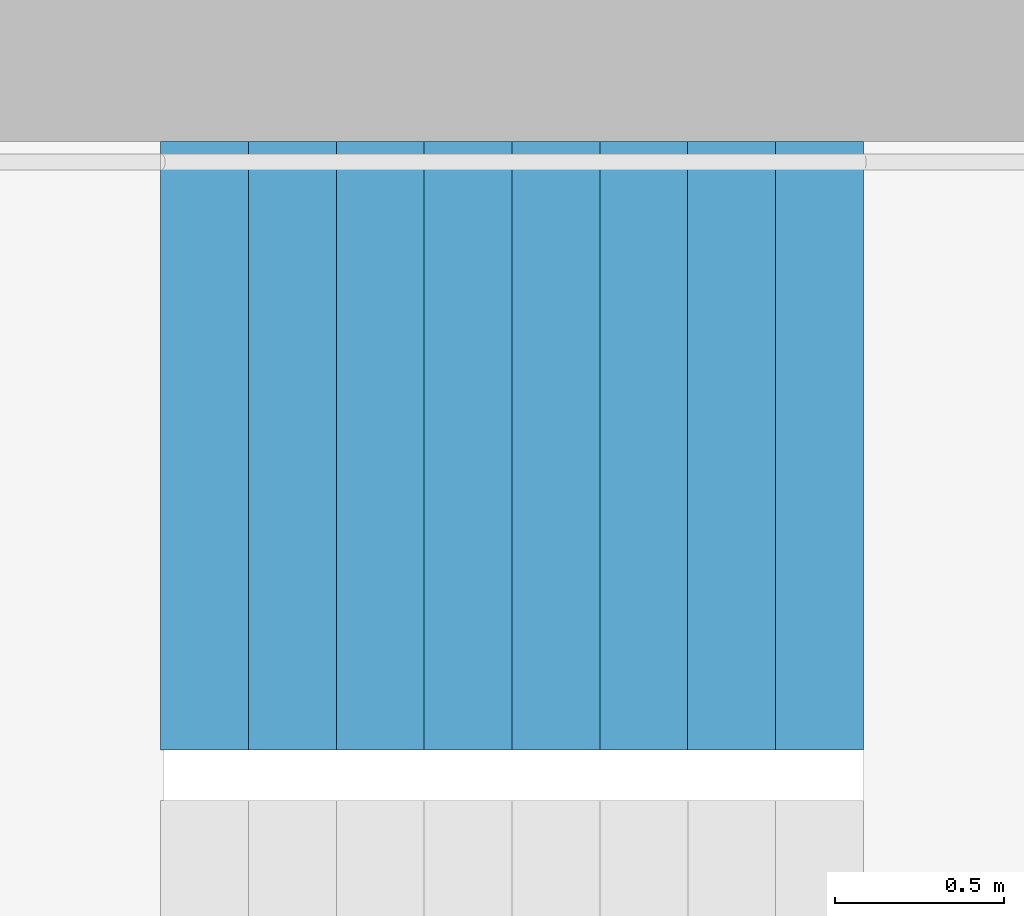
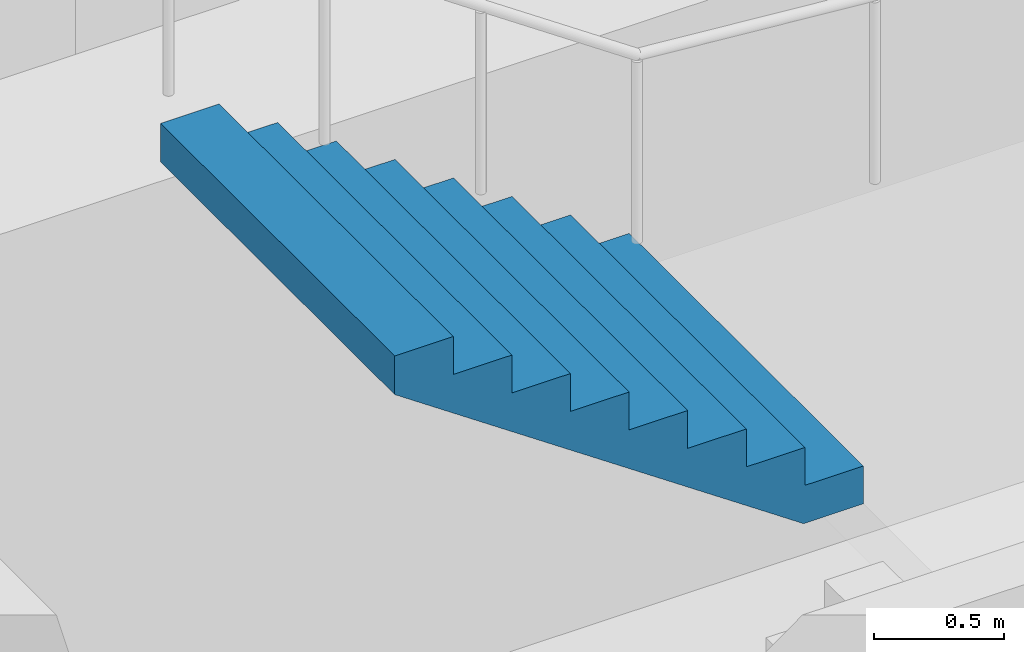
# One storey, part 21 of 26: 1 stair flight, 1 element without a shape of its own.
"""IFC4 building model written with IfcOpenShell, lengths in metres."""

from ifc_helpers import new_model, si_unit, direction, frame, origin, place, context, subcontext, project, spatial, triangles, material, type_object, element, aggregate, save


model = new_model("IFC4")

# Units and contexts
model_context = context("Model", 3, precision=1e-05, world=origin(), true_north=direction((0.0, 1.0)))
body_context = subcontext(model_context, "Body", "Model", "MODEL_VIEW")
ifc_project = project(units=[si_unit("LENGTHUNIT", "METRE"), si_unit("AREAUNIT", "SQUARE_METRE"), si_unit("VOLUMEUNIT", "CUBIC_METRE"), si_unit("PLANEANGLEUNIT", "RADIAN"), si_unit("MASSUNIT", "GRAM", prefix="KILO")], contexts=[model_context])

# Site, building, storey
site_placement = place(None, origin())
site = spatial("IfcSite", under=ifc_project, at=site_placement, CompositionType="ELEMENT")
building_placement = place(site_placement, origin())
building = spatial("IfcBuilding", under=site, at=building_placement, Name="Hakoniwa Tower and Hamabe Station Hall", CompositionType="ELEMENT")
storey_placement = place(building_placement, frame((0.0, 0.0, 156.60009765625)))
storey = spatial("IfcBuildingStorey", under=building, at=storey_placement, Name="L44", CompositionType="ELEMENT", Elevation=156.60009765625)

# Stair, stair flight
ifc_material_1 = material(Name="Concrete C40", Category="concrete")
stair_type = type_object("IfcStairType", Name="ESCAPE STAIR 1800", PredefinedType="HALF_TURN_STAIR", material=ifc_material_1)
stair_placement = place(storey_placement, origin())
stair = element("IfcStair", 1, at=stair_placement, inside=storey, type_object=stair_type, Name="Escape stair ST-1 L44", PredefinedType="HALF_TURN_STAIR")
ifc_material_2 = material(Name="Concrete C40", Category="concrete")
stair_flight_type = type_object("IfcStairFlightType", Name="STAIR FLIGHT 1800", PredefinedType="STRAIGHT", material=ifc_material_2)
stair_flight_placement = place(storey_placement, frame((-22.320068359375, 6.60009765625, 1.599853515625), z_axis=(0.0, 0.0, 1.0), x_axis=(-1.0, 0.0, 0.0)))
stair_flight = element("IfcStairFlight", 2, at=stair_flight_placement, type_object=stair_flight_type, Name="ST-1 flight 2", NumberOfRisers=9, NumberOfTreads=8, PredefinedType="STRAIGHT", RiserHeight=0.177777778, TreadLength=0.26, context=body_context, shape_type="Tessellation", body=[
    triangles([(0.0, 0.89990234375, 0.0), (0.260009765625, 0.89990234375, 0.0), (0.265625, 0.89990234375, 0.0), (0.52001953125, 0.89990234375, 0.174072265625), (0.780029296875, 0.89990234375, 0.351806640625), (1.0400390625, 0.89990234375, 0.529541015625), (1.300048828125, 0.89990234375, 0.707275390625), (1.56005859375, 0.89990234375, 0.885009765625), (1.820068359375, 0.89990234375, 1.062744140625), (2.080078125, 0.89990234375, 1.24072265625), (2.080078125, 0.89990234375, 1.422119140625), (1.820068359375, 0.89990234375, 1.422119140625), (1.820068359375, 0.89990234375, 1.244384765625), (1.56005859375, 0.89990234375, 1.244384765625), (1.56005859375, 0.89990234375, 1.066650390625), (1.300048828125, 0.89990234375, 1.066650390625), (1.300048828125, 0.89990234375, 0.888916015625), (1.0400390625, 0.89990234375, 0.888916015625), (1.0400390625, 0.89990234375, 0.711181640625), (0.780029296875, 0.89990234375, 0.711181640625), (0.780029296875, 0.89990234375, 0.533447265625), (0.52001953125, 0.89990234375, 0.533447265625), (0.52001953125, 0.89990234375, 0.35546875), (0.265625, 0.89990234375, 0.35546875), (0.260009765625, 0.89990234375, 0.35546875), (0.260009765625, 0.89990234375, 0.177734375), (0.0, 0.89990234375, 0.177734375), (0.0, 0.06005859375, 0.0), (0.260009765625, 0.06005859375, 0.0), (0.265625, 0.06005859375, 0.0), (0.52001953125, 0.06005859375, 0.174072265625), (0.780029296875, 0.06005859375, 0.351806640625), (1.0400390625, 0.06005859375, 0.529541015625), (1.300048828125, 0.06005859375, 0.707275390625), (1.56005859375, 0.06005859375, 0.885009765625), (1.820068359375, 0.06005859375, 1.062744140625), (2.080078125, 0.06005859375, 1.24072265625), (2.080078125, 0.06005859375, 1.422119140625), (1.820068359375, 0.06005859375, 1.422119140625), (1.820068359375, 0.06005859375, 1.244384765625), (1.56005859375, 0.06005859375, 1.244384765625), (1.56005859375, 0.06005859375, 1.066650390625), (1.300048828125, 0.06005859375, 1.066650390625), (1.300048828125, 0.06005859375, 0.888916015625), (1.0400390625, 0.06005859375, 0.888916015625), (1.0400390625, 0.06005859375, 0.711181640625), (0.780029296875, 0.06005859375, 0.711181640625), (0.780029296875, 0.06005859375, 0.533447265625), (0.52001953125, 0.06005859375, 0.533447265625), (0.52001953125, 0.06005859375, 0.35546875), (0.265625, 0.06005859375, 0.35546875), (0.260009765625, 0.06005859375, 0.35546875), (0.260009765625, 0.06005859375, 0.177734375), (0.0, 0.06005859375, 0.177734375), (0.0, 0.04296875, 0.0), (0.260009765625, 0.04296875, 0.0), (0.265625, 0.04296875, 0.0), (0.52001953125, 0.04296875, 0.174072265625), (0.780029296875, 0.04296875, 0.351806640625), (1.0400390625, 0.04296875, 0.529541015625), (1.300048828125, 0.04296875, 0.707275390625), (1.56005859375, 0.04296875, 0.885009765625), (1.820068359375, 0.04296875, 1.062744140625), (2.080078125, 0.04296875, 1.24072265625), (2.080078125, 0.04296875, 1.422119140625), (1.820068359375, 0.04296875, 1.422119140625), (1.820068359375, 0.04296875, 1.244384765625), (1.56005859375, 0.04296875, 1.244384765625), (1.56005859375, 0.04296875, 1.066650390625), (1.300048828125, 0.04296875, 1.066650390625), (1.300048828125, 0.04296875, 0.888916015625), (1.0400390625, 0.04296875, 0.888916015625), (1.0400390625, 0.04296875, 0.711181640625), (0.780029296875, 0.04296875, 0.711181640625), (0.780029296875, 0.04296875, 0.533447265625), (0.52001953125, 0.04296875, 0.533447265625), (0.52001953125, 0.04296875, 0.35546875), (0.265625, 0.04296875, 0.35546875), (0.260009765625, 0.04296875, 0.35546875), (0.260009765625, 0.04296875, 0.177734375), (0.0, 0.04296875, 0.177734375), (0.0, 0.025634765625, 0.0), (0.260009765625, 0.025634765625, 0.0), (0.265625, 0.025634765625, 0.0), (0.52001953125, 0.025634765625, 0.174072265625), (0.780029296875, 0.025634765625, 0.351806640625), (1.0400390625, 0.025634765625, 0.529541015625), (1.300048828125, 0.025634765625, 0.707275390625), (1.56005859375, 0.025634765625, 0.885009765625), (1.820068359375, 0.025634765625, 1.062744140625), (2.080078125, 0.025634765625, 1.24072265625), (2.080078125, 0.025634765625, 1.422119140625), (1.820068359375, 0.025634765625, 1.422119140625), (1.820068359375, 0.025634765625, 1.244384765625), (1.56005859375, 0.025634765625, 1.244384765625), (1.56005859375, 0.025634765625, 1.066650390625), (1.300048828125, 0.025634765625, 1.066650390625), (1.300048828125, 0.025634765625, 0.888916015625), (1.0400390625, 0.025634765625, 0.888916015625), (1.0400390625, 0.025634765625, 0.711181640625), (0.780029296875, 0.025634765625, 0.711181640625), (0.780029296875, 0.025634765625, 0.533447265625), (0.52001953125, 0.025634765625, 0.533447265625), (0.52001953125, 0.025634765625, 0.35546875), (0.265625, 0.025634765625, 0.35546875), (0.260009765625, 0.025634765625, 0.35546875), (0.260009765625, 0.025634765625, 0.177734375), (0.0, 0.025634765625, 0.177734375), (0.0, 0.008544921875, 0.0), (0.260009765625, 0.008544921875, 0.0), (0.265625, 0.008544921875, 0.0), (0.52001953125, 0.008544921875, 0.174072265625), (0.780029296875, 0.008544921875, 0.351806640625), (1.0400390625, 0.008544921875, 0.529541015625), (1.300048828125, 0.008544921875, 0.707275390625), (1.56005859375, 0.008544921875, 0.885009765625), (1.820068359375, 0.008544921875, 1.062744140625), (2.080078125, 0.008544921875, 1.24072265625), (2.080078125, 0.008544921875, 1.422119140625), (1.820068359375, 0.008544921875, 1.422119140625), (1.820068359375, 0.008544921875, 1.244384765625), (1.56005859375, 0.008544921875, 1.244384765625), (1.56005859375, 0.008544921875, 1.066650390625), (1.300048828125, 0.008544921875, 1.066650390625), (1.300048828125, 0.008544921875, 0.888916015625), (1.0400390625, 0.008544921875, 0.888916015625), (1.0400390625, 0.008544921875, 0.711181640625), (0.780029296875, 0.008544921875, 0.711181640625), (0.780029296875, 0.008544921875, 0.533447265625), (0.52001953125, 0.008544921875, 0.533447265625), (0.52001953125, 0.008544921875, 0.35546875), (0.265625, 0.008544921875, 0.35546875), (0.260009765625, 0.008544921875, 0.35546875), (0.260009765625, 0.008544921875, 0.177734375), (0.0, 0.008544921875, 0.177734375), (0.0, -0.008544921875, 0.0), (0.260009765625, -0.008544921875, 0.0), (0.265625, -0.008544921875, 0.0), (0.52001953125, -0.008544921875, 0.174072265625), (0.780029296875, -0.008544921875, 0.351806640625), (1.0400390625, -0.008544921875, 0.529541015625), (1.300048828125, -0.008544921875, 0.707275390625), (1.56005859375, -0.008544921875, 0.885009765625), (1.820068359375, -0.008544921875, 1.062744140625), (2.080078125, -0.008544921875, 1.24072265625), (2.080078125, -0.008544921875, 1.422119140625), (1.820068359375, -0.008544921875, 1.422119140625), (1.820068359375, -0.008544921875, 1.244384765625), (1.56005859375, -0.008544921875, 1.244384765625), (1.56005859375, -0.008544921875, 1.066650390625), (1.300048828125, -0.008544921875, 1.066650390625), (1.300048828125, -0.008544921875, 0.888916015625), (1.0400390625, -0.008544921875, 0.888916015625), (1.0400390625, -0.008544921875, 0.711181640625), (0.780029296875, -0.008544921875, 0.711181640625), (0.780029296875, -0.008544921875, 0.533447265625), (0.52001953125, -0.008544921875, 0.533447265625), (0.52001953125, -0.008544921875, 0.35546875), (0.265625, -0.008544921875, 0.35546875), (0.260009765625, -0.008544921875, 0.35546875), (0.260009765625, -0.008544921875, 0.177734375), (0.0, -0.008544921875, 0.177734375), (0.0, -0.025634765625, 0.0), (0.260009765625, -0.025634765625, 0.0), (0.265625, -0.025634765625, 0.0), (0.52001953125, -0.025634765625, 0.174072265625), (0.780029296875, -0.025634765625, 0.351806640625), (1.0400390625, -0.025634765625, 0.529541015625), (1.300048828125, -0.025634765625, 0.707275390625), (1.56005859375, -0.025634765625, 0.885009765625), (1.820068359375, -0.025634765625, 1.062744140625), (2.080078125, -0.025634765625, 1.24072265625), (2.080078125, -0.025634765625, 1.422119140625), (1.820068359375, -0.025634765625, 1.422119140625), (1.820068359375, -0.025634765625, 1.244384765625), (1.56005859375, -0.025634765625, 1.244384765625), (1.56005859375, -0.025634765625, 1.066650390625), (1.300048828125, -0.025634765625, 1.066650390625), (1.300048828125, -0.025634765625, 0.888916015625), (1.0400390625, -0.025634765625, 0.888916015625), (1.0400390625, -0.025634765625, 0.711181640625), (0.780029296875, -0.025634765625, 0.711181640625), (0.780029296875, -0.025634765625, 0.533447265625), (0.52001953125, -0.025634765625, 0.533447265625), (0.52001953125, -0.025634765625, 0.35546875), (0.265625, -0.025634765625, 0.35546875), (0.260009765625, -0.025634765625, 0.35546875), (0.260009765625, -0.025634765625, 0.177734375), (0.0, -0.025634765625, 0.177734375), (0.0, -0.04296875, 0.0), (0.260009765625, -0.04296875, 0.0), (0.265625, -0.04296875, 0.0), (0.52001953125, -0.04296875, 0.174072265625), (0.780029296875, -0.04296875, 0.351806640625), (1.0400390625, -0.04296875, 0.529541015625), (1.300048828125, -0.04296875, 0.707275390625), (1.56005859375, -0.04296875, 0.885009765625), (1.820068359375, -0.04296875, 1.062744140625), (2.080078125, -0.04296875, 1.24072265625), (2.080078125, -0.04296875, 1.422119140625), (1.820068359375, -0.04296875, 1.422119140625), (1.820068359375, -0.04296875, 1.244384765625), (1.56005859375, -0.04296875, 1.244384765625), (1.56005859375, -0.04296875, 1.066650390625), (1.300048828125, -0.04296875, 1.066650390625), (1.300048828125, -0.04296875, 0.888916015625), (1.0400390625, -0.04296875, 0.888916015625), (1.0400390625, -0.04296875, 0.711181640625), (0.780029296875, -0.04296875, 0.711181640625), (0.780029296875, -0.04296875, 0.533447265625), (0.52001953125, -0.04296875, 0.533447265625), (0.52001953125, -0.04296875, 0.35546875), (0.265625, -0.04296875, 0.35546875), (0.260009765625, -0.04296875, 0.35546875), (0.260009765625, -0.04296875, 0.177734375), (0.0, -0.04296875, 0.177734375), (0.0, -0.06005859375, 0.0), (0.260009765625, -0.06005859375, 0.0), (0.265625, -0.06005859375, 0.0), (0.52001953125, -0.06005859375, 0.174072265625), (0.780029296875, -0.06005859375, 0.351806640625), (1.0400390625, -0.06005859375, 0.529541015625), (1.300048828125, -0.06005859375, 0.707275390625), (1.56005859375, -0.06005859375, 0.885009765625), (1.820068359375, -0.06005859375, 1.062744140625), (2.080078125, -0.06005859375, 1.24072265625), (2.080078125, -0.06005859375, 1.422119140625), (1.820068359375, -0.06005859375, 1.422119140625), (1.820068359375, -0.06005859375, 1.244384765625), (1.56005859375, -0.06005859375, 1.244384765625), (1.56005859375, -0.06005859375, 1.066650390625), (1.300048828125, -0.06005859375, 1.066650390625), (1.300048828125, -0.06005859375, 0.888916015625), (1.0400390625, -0.06005859375, 0.888916015625), (1.0400390625, -0.06005859375, 0.711181640625), (0.780029296875, -0.06005859375, 0.711181640625), (0.780029296875, -0.06005859375, 0.533447265625), (0.52001953125, -0.06005859375, 0.533447265625), (0.52001953125, -0.06005859375, 0.35546875), (0.265625, -0.06005859375, 0.35546875), (0.260009765625, -0.06005859375, 0.35546875), (0.260009765625, -0.06005859375, 0.177734375), (0.0, -0.06005859375, 0.177734375), (0.0, -0.89990234375, 0.0), (0.260009765625, -0.89990234375, 0.0), (0.265625, -0.89990234375, 0.0), (0.52001953125, -0.89990234375, 0.174072265625), (0.780029296875, -0.89990234375, 0.351806640625), (1.0400390625, -0.89990234375, 0.529541015625), (1.300048828125, -0.89990234375, 0.707275390625), (1.56005859375, -0.89990234375, 0.885009765625), (1.820068359375, -0.89990234375, 1.062744140625), (2.080078125, -0.89990234375, 1.24072265625), (2.080078125, -0.89990234375, 1.422119140625), (1.820068359375, -0.89990234375, 1.422119140625), (1.820068359375, -0.89990234375, 1.244384765625), (1.56005859375, -0.89990234375, 1.244384765625), (1.56005859375, -0.89990234375, 1.066650390625), (1.300048828125, -0.89990234375, 1.066650390625), (1.300048828125, -0.89990234375, 0.888916015625), (1.0400390625, -0.89990234375, 0.888916015625), (1.0400390625, -0.89990234375, 0.711181640625), (0.780029296875, -0.89990234375, 0.711181640625), (0.780029296875, -0.89990234375, 0.533447265625), (0.52001953125, -0.89990234375, 0.533447265625), (0.52001953125, -0.89990234375, 0.35546875), (0.265625, -0.89990234375, 0.35546875), (0.260009765625, -0.89990234375, 0.35546875), (0.260009765625, -0.89990234375, 0.177734375), (0.0, -0.89990234375, 0.177734375)], [[2, 27, 26], [245, 269, 270], [2, 1, 27], [245, 270, 244], [3, 25, 24], [246, 267, 268], [3, 26, 25], [246, 268, 269], [3, 2, 26], [246, 269, 245], [4, 24, 23], [247, 266, 267], [4, 3, 24], [247, 267, 246], [5, 22, 21], [248, 264, 265], [5, 23, 22], [248, 265, 266], [5, 4, 23], [248, 266, 247], [6, 20, 19], [249, 262, 263], [6, 21, 20], [249, 263, 264], [6, 5, 21], [249, 264, 248], [7, 18, 17], [250, 260, 261], [7, 19, 18], [250, 261, 262], [7, 6, 19], [250, 262, 249], [8, 16, 15], [251, 258, 259], [8, 17, 16], [251, 259, 260], [8, 7, 17], [251, 260, 250], [9, 14, 13], [252, 256, 257], [9, 15, 14], [252, 257, 258], [9, 8, 15], [252, 258, 251], [10, 12, 11], [253, 254, 255], [10, 13, 12], [253, 255, 256], [10, 9, 13], [253, 256, 252], [1, 2, 29], [1, 29, 28], [28, 29, 56], [28, 56, 55], [55, 56, 83], [55, 83, 82], [82, 83, 110], [82, 110, 109], [109, 110, 137], [109, 137, 136], [136, 137, 164], [136, 164, 163], [163, 164, 191], [163, 191, 190], [190, 191, 218], [190, 218, 217], [217, 218, 245], [217, 245, 244], [2, 3, 30], [2, 30, 29], [29, 30, 57], [29, 57, 56], [56, 57, 84], [56, 84, 83], [83, 84, 111], [83, 111, 110], [110, 111, 138], [110, 138, 137], [137, 138, 165], [137, 165, 164], [164, 165, 192], [164, 192, 191], [191, 192, 219], [191, 219, 218], [218, 219, 246], [218, 246, 245], [3, 4, 31], [3, 31, 30], [30, 31, 58], [30, 58, 57], [57, 58, 85], [57, 85, 84], [84, 85, 112], [84, 112, 111], [111, 112, 139], [111, 139, 138], [138, 139, 166], [138, 166, 165], [165, 166, 193], [165, 193, 192], [192, 193, 220], [192, 220, 219], [219, 220, 247], [219, 247, 246], [4, 5, 32], [4, 32, 31], [31, 32, 59], [31, 59, 58], [58, 59, 86], [58, 86, 85], [85, 86, 113], [85, 113, 112], [112, 113, 140], [112, 140, 139], [139, 140, 167], [139, 167, 166], [166, 167, 194], [166, 194, 193], [193, 194, 221], [193, 221, 220], [220, 221, 248], [220, 248, 247], [5, 6, 33], [5, 33, 32], [32, 33, 60], [32, 60, 59], [59, 60, 87], [59, 87, 86], [86, 87, 114], [86, 114, 113], [113, 114, 141], [113, 141, 140], [140, 141, 168], [140, 168, 167], [167, 168, 195], [167, 195, 194], [194, 195, 222], [194, 222, 221], [221, 222, 249], [221, 249, 248], [6, 7, 34], [6, 34, 33], [33, 34, 61], [33, 61, 60], [60, 61, 88], [60, 88, 87], [87, 88, 115], [87, 115, 114], [114, 115, 142], [114, 142, 141], [141, 142, 169], [141, 169, 168], [168, 169, 196], [168, 196, 195], [195, 196, 223], [195, 223, 222], [222, 223, 250], [222, 250, 249], [7, 8, 35], [7, 35, 34], [34, 35, 62], [34, 62, 61], [61, 62, 89], [61, 89, 88], [88, 89, 116], [88, 116, 115], [115, 116, 143], [115, 143, 142], [142, 143, 170], [142, 170, 169], [169, 170, 197], [169, 197, 196], [196, 197, 224], [196, 224, 223], [223, 224, 251], [223, 251, 250], [8, 9, 36], [8, 36, 35], [35, 36, 63], [35, 63, 62], [62, 63, 90], [62, 90, 89], [89, 90, 117], [89, 117, 116], [116, 117, 144], [116, 144, 143], [143, 144, 171], [143, 171, 170], [170, 171, 198], [170, 198, 197], [197, 198, 225], [197, 225, 224], [224, 225, 252], [224, 252, 251], [9, 10, 37], [9, 37, 36], [36, 37, 64], [36, 64, 63], [63, 64, 91], [63, 91, 90], [90, 91, 118], [90, 118, 117], [117, 118, 145], [117, 145, 144], [144, 145, 172], [144, 172, 171], [171, 172, 199], [171, 199, 198], [198, 199, 226], [198, 226, 225], [225, 226, 253], [225, 253, 252], [10, 11, 38], [10, 38, 37], [37, 38, 65], [37, 65, 64], [64, 65, 92], [64, 92, 91], [91, 92, 119], [91, 119, 118], [118, 119, 146], [118, 146, 145], [145, 146, 173], [145, 173, 172], [172, 173, 200], [172, 200, 199], [199, 200, 227], [199, 227, 226], [226, 227, 254], [226, 254, 253], [11, 12, 39], [11, 39, 38], [38, 39, 66], [38, 66, 65], [65, 66, 93], [65, 93, 92], [92, 93, 120], [92, 120, 119], [119, 120, 147], [119, 147, 146], [146, 147, 174], [146, 174, 173], [173, 174, 201], [173, 201, 200], [200, 201, 228], [200, 228, 227], [227, 228, 255], [227, 255, 254], [12, 13, 40], [12, 40, 39], [39, 40, 67], [39, 67, 66], [66, 67, 94], [66, 94, 93], [93, 94, 121], [93, 121, 120], [120, 121, 148], [120, 148, 147], [147, 148, 175], [147, 175, 174], [174, 175, 202], [174, 202, 201], [201, 202, 229], [201, 229, 228], [228, 229, 256], [228, 256, 255], [13, 14, 41], [13, 41, 40], [40, 41, 68], [40, 68, 67], [67, 68, 95], [67, 95, 94], [94, 95, 122], [94, 122, 121], [121, 122, 149], [121, 149, 148], [148, 149, 176], [148, 176, 175], [175, 176, 203], [175, 203, 202], [202, 203, 230], [202, 230, 229], [229, 230, 257], [229, 257, 256], [14, 15, 42], [14, 42, 41], [41, 42, 69], [41, 69, 68], [68, 69, 96], [68, 96, 95], [95, 96, 123], [95, 123, 122], [122, 123, 150], [122, 150, 149], [149, 150, 177], [149, 177, 176], [176, 177, 204], [176, 204, 203], [203, 204, 231], [203, 231, 230], [230, 231, 258], [230, 258, 257], [15, 16, 43], [15, 43, 42], [42, 43, 70], [42, 70, 69], [69, 70, 97], [69, 97, 96], [96, 97, 124], [96, 124, 123], [123, 124, 151], [123, 151, 150], [150, 151, 178], [150, 178, 177], [177, 178, 205], [177, 205, 204], [204, 205, 232], [204, 232, 231], [231, 232, 259], [231, 259, 258], [16, 17, 44], [16, 44, 43], [43, 44, 71], [43, 71, 70], [70, 71, 98], [70, 98, 97], [97, 98, 125], [97, 125, 124], [124, 125, 152], [124, 152, 151], [151, 152, 179], [151, 179, 178], [178, 179, 206], [178, 206, 205], [205, 206, 233], [205, 233, 232], [232, 233, 260], [232, 260, 259], [17, 18, 45], [17, 45, 44], [44, 45, 72], [44, 72, 71], [71, 72, 99], [71, 99, 98], [98, 99, 126], [98, 126, 125], [125, 126, 153], [125, 153, 152], [152, 153, 180], [152, 180, 179], [179, 180, 207], [179, 207, 206], [206, 207, 234], [206, 234, 233], [233, 234, 261], [233, 261, 260], [18, 19, 46], [18, 46, 45], [45, 46, 73], [45, 73, 72], [72, 73, 100], [72, 100, 99], [99, 100, 127], [99, 127, 126], [126, 127, 154], [126, 154, 153], [153, 154, 181], [153, 181, 180], [180, 181, 208], [180, 208, 207], [207, 208, 235], [207, 235, 234], [234, 235, 262], [234, 262, 261], [19, 20, 47], [19, 47, 46], [46, 47, 74], [46, 74, 73], [73, 74, 101], [73, 101, 100], [100, 101, 128], [100, 128, 127], [127, 128, 155], [127, 155, 154], [154, 155, 182], [154, 182, 181], [181, 182, 209], [181, 209, 208], [208, 209, 236], [208, 236, 235], [235, 236, 263], [235, 263, 262], [20, 21, 48], [20, 48, 47], [47, 48, 75], [47, 75, 74], [74, 75, 102], [74, 102, 101], [101, 102, 129], [101, 129, 128], [128, 129, 156], [128, 156, 155], [155, 156, 183], [155, 183, 182], [182, 183, 210], [182, 210, 209], [209, 210, 237], [209, 237, 236], [236, 237, 264], [236, 264, 263], [21, 22, 49], [21, 49, 48], [48, 49, 76], [48, 76, 75], [75, 76, 103], [75, 103, 102], [102, 103, 130], [102, 130, 129], [129, 130, 157], [129, 157, 156], [156, 157, 184], [156, 184, 183], [183, 184, 211], [183, 211, 210], [210, 211, 238], [210, 238, 237], [237, 238, 265], [237, 265, 264], [22, 23, 50], [22, 50, 49], [49, 50, 77], [49, 77, 76], [76, 77, 104], [76, 104, 103], [103, 104, 131], [103, 131, 130], [130, 131, 158], [130, 158, 157], [157, 158, 185], [157, 185, 184], [184, 185, 212], [184, 212, 211], [211, 212, 239], [211, 239, 238], [238, 239, 266], [238, 266, 265], [23, 24, 51], [23, 51, 50], [50, 51, 78], [50, 78, 77], [77, 78, 105], [77, 105, 104], [104, 105, 132], [104, 132, 131], [131, 132, 159], [131, 159, 158], [158, 159, 186], [158, 186, 185], [185, 186, 213], [185, 213, 212], [212, 213, 240], [212, 240, 239], [239, 240, 267], [239, 267, 266], [24, 25, 52], [24, 52, 51], [51, 52, 79], [51, 79, 78], [78, 79, 106], [78, 106, 105], [105, 106, 133], [105, 133, 132], [132, 133, 160], [132, 160, 159], [159, 160, 187], [159, 187, 186], [186, 187, 214], [186, 214, 213], [213, 214, 241], [213, 241, 240], [240, 241, 268], [240, 268, 267], [25, 26, 53], [25, 53, 52], [52, 53, 80], [52, 80, 79], [79, 80, 107], [79, 107, 106], [106, 107, 134], [106, 134, 133], [133, 134, 161], [133, 161, 160], [160, 161, 188], [160, 188, 187], [187, 188, 215], [187, 215, 214], [214, 215, 242], [214, 242, 241], [241, 242, 269], [241, 269, 268], [26, 27, 54], [26, 54, 53], [53, 54, 81], [53, 81, 80], [80, 81, 108], [80, 108, 107], [107, 108, 135], [107, 135, 134], [134, 135, 162], [134, 162, 161], [161, 162, 189], [161, 189, 188], [188, 189, 216], [188, 216, 215], [215, 216, 243], [215, 243, 242], [242, 243, 270], [242, 270, 269], [27, 1, 28], [27, 28, 54], [54, 28, 55], [54, 55, 81], [81, 55, 82], [81, 82, 108], [108, 82, 109], [108, 109, 135], [135, 109, 136], [135, 136, 162], [162, 136, 163], [162, 163, 189], [189, 163, 190], [189, 190, 216], [216, 190, 217], [216, 217, 243], [243, 217, 244], [243, 244, 270]], closed=True),
])
aggregate(stair, [stair_flight])

save(model, "model.ifc")
